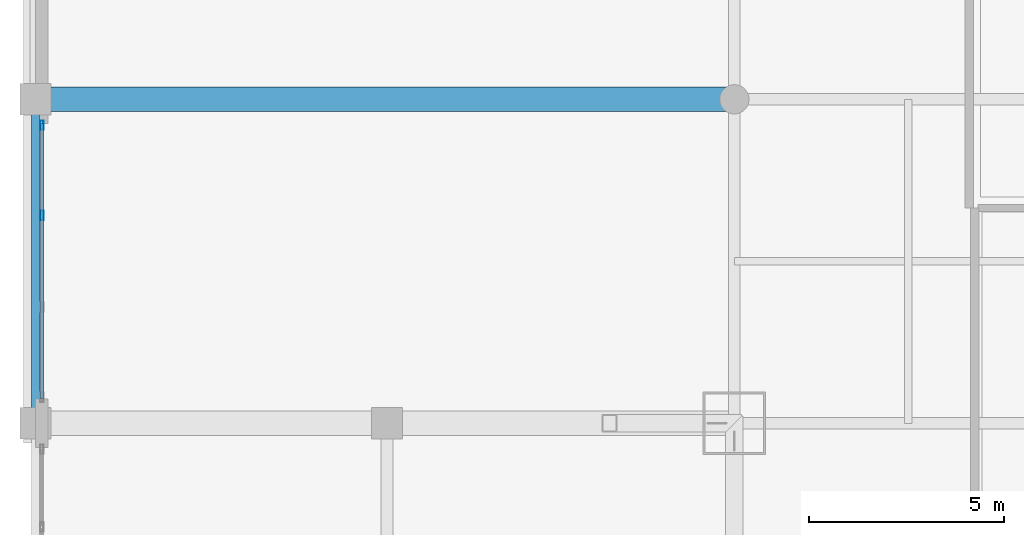
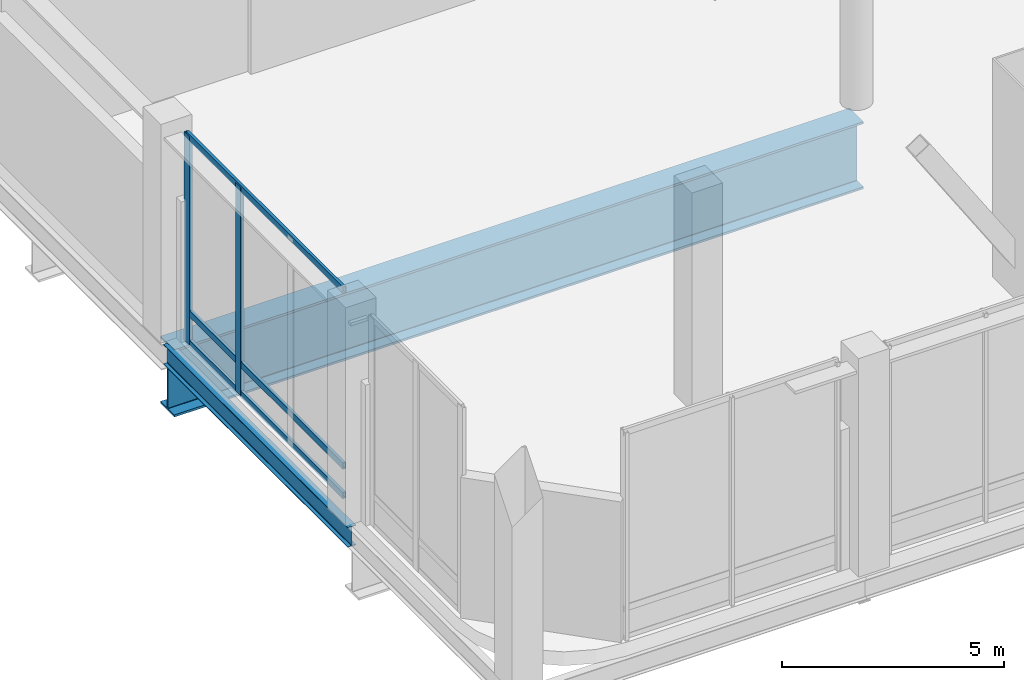
# One storey, part 3 of 38: 5 members, 2 beams, 1 element without a shape of its own.
"""IFC4 building model written with IfcOpenShell, lengths in metres."""

from ifc_helpers import new_model, si_unit, direction, frame, origin, origin_2d, place, context, subcontext, project, spatial, hollow_rectangle, i_section, extrude, material, material_profile, profile_set, type_object, element, aggregate, save


model = new_model("IFC4")

# Units and contexts
model_context = context("Model", 3, precision=1e-05, world=origin(), true_north=direction((0.0, 1.0)))
body_context = subcontext(model_context, "Body", "Model", "MODEL_VIEW")
ifc_project = project(units=[si_unit("LENGTHUNIT", "METRE"), si_unit("AREAUNIT", "SQUARE_METRE"), si_unit("VOLUMEUNIT", "CUBIC_METRE"), si_unit("PLANEANGLEUNIT", "RADIAN"), si_unit("MASSUNIT", "GRAM", prefix="KILO")], contexts=[model_context])

# Site, building, storey
site_placement = place(None, origin())
site = spatial("IfcSite", under=ifc_project, at=site_placement, CompositionType="ELEMENT")
building_placement = place(site_placement, origin())
building = spatial("IfcBuilding", under=site, at=building_placement, Name="Punatoya Terracotta Tower", CompositionType="ELEMENT")
storey_placement = place(building_placement, frame((0.0, 0.0, 22.199951171875)))
storey = spatial("IfcBuildingStorey", under=building, at=storey_placement, Name="L04", CompositionType="ELEMENT", Elevation=22.199951171875)

# Beams
ifc_material_1 = material(Name="Steel S355", Category="steel")
ifc_material_profile_1 = material_profile(ifc_material_1, i_section(OverallWidth=0.2099609375, OverallDepth=0.550048828125, WebThickness=0.010986328125, FlangeThickness=0.01708984375, FilletRadius=0.01806640625, at=origin_2d()))
ifc_profile_set_1 = profile_set([ifc_material_profile_1], Name="Steel S355")
beam_type_1 = type_object("IfcBeamType", Name="BM-SPN-550", PredefinedType="SPANDREL", material=ifc_profile_set_1)
beam_1_placement = place(storey_placement, frame((-37.0, -17.5, -0.655029296875), z_axis=(0.0, 1.0, 0.0), x_axis=(-1.0, 0.0, 0.0)))
element("IfcBeam", 1, at=beam_1_placement, inside=storey, type_object=beam_type_1, Name="BM-L04-X37W--17", PredefinedType="SPANDREL", context=body_context, shape_type="SweptSolid", body=[
    extrude(i_section(OverallWidth=0.2099609375, OverallDepth=0.550048828125, WebThickness=0.010986328125, FlangeThickness=0.01708984375, FilletRadius=0.01806640625, at=origin_2d()), origin(), (0.0, 0.0, 1.0), 8.300048828125),
])
ifc_material_2 = material(Name="Steel S460", Category="steel")
ifc_material_profile_2 = material_profile(ifc_material_2, i_section(OverallWidth=0.6201171875, OverallDepth=1.85009765625, WebThickness=0.0400390625, FlangeThickness=0.06005859375, FilletRadius=0.01806640625, at=origin_2d()))
ifc_profile_set_2 = profile_set([ifc_material_profile_2], Name="Steel S460")
beam_type_2 = type_object("IfcBeamType", Name="BM-TG-AUD", PredefinedType="BEAM", material=ifc_profile_set_2)
beam_2_placement = place(storey_placement, frame((-37.0, -9.199951171875, -1.304931640625), z_axis=(1.0, 0.0, 0.0), x_axis=(0.0, 1.0, 0.0)))
element("IfcBeam", 2, at=beam_2_placement, inside=storey, type_object=beam_type_2, Name="L04 Auditorium Transfer Girder TG-01 (C)", PredefinedType="BEAM", context=body_context, shape_type="SweptSolid", body=[
    extrude(i_section(OverallWidth=0.6201171875, OverallDepth=1.85009765625, WebThickness=0.0400390625, FlangeThickness=0.06005859375, FilletRadius=0.01806640625, at=origin_2d()), origin(), (0.0, 0.0, 1.0), 17.89990234375),
])

# Curtain wall, members
ifc_material_3 = material(Name="Aluminium 6063-T6 + Double Low-E Glass", Category="aluminium")
curtain_wall_type = type_object("IfcCurtainWallType", Name="CW-POD", PredefinedType="NOTDEFINED", material=ifc_material_3)
curtain_wall_placement = place(storey_placement, origin())
curtain_wall = element("IfcCurtainWall", 3, at=curtain_wall_placement, inside=storey, type_object=curtain_wall_type, Name="L04 Curtain Wall CWP-L04-W2", PredefinedType="NOTDEFINED")
ifc_material_4 = material(Name="Aluminium 6063-T6", Category="aluminium")
ifc_material_profile_3 = material_profile(ifc_material_4, hollow_rectangle(XDim=0.0849609375, YDim=0.239990234375, WallThickness=0.0048828125, at=origin_2d()))
ifc_profile_set_3 = profile_set([ifc_material_profile_3], Name="Aluminium 6063-T6")
member_type_1 = type_object("IfcMemberType", Name="CW-MUL-POD", PredefinedType="MULLION", material=ifc_profile_set_3)
member_1_placement = place(storey_placement, frame((-36.840087890625, -12.17333984375, 0.0), z_axis=(0.0, 0.0, 1.0), x_axis=(1.0, 0.0, 0.0)))
member_1 = element("IfcMember", 4, at=member_1_placement, type_object=member_type_1, Name="CWP-L04-W2 Mullion 02", PredefinedType="MULLION", context=body_context, shape_type="SweptSolid", body=[
    extrude(hollow_rectangle(XDim=0.0849609375, YDim=0.239990234375, WallThickness=0.0048828125, at=origin_2d()), origin(), (0.0, 0.0, 1.0), 5.719970703125),
])
member_2_placement = place(storey_placement, frame((-36.840087890625, -9.864990234375, 0.0), z_axis=(0.0, 0.0, 1.0), x_axis=(1.0, 0.0, 0.0)))
member_2 = element("IfcMember", 5, at=member_2_placement, type_object=member_type_1, Name="CWP-L04-W2 Mullion 03", PredefinedType="MULLION", context=body_context, shape_type="SweptSolid", body=[
    extrude(hollow_rectangle(XDim=0.0849609375, YDim=0.239990234375, WallThickness=0.0048828125, at=origin_2d()), origin(), (0.0, 0.0, 1.0), 5.719970703125),
])
ifc_material_profile_4 = material_profile(ifc_material_4, hollow_rectangle(XDim=0.074951171875, YDim=0.175048828125, WallThickness=0.00439453125, at=origin_2d()))
ifc_profile_set_4 = profile_set([ifc_material_profile_4], Name="Aluminium 6063-T6")
member_type_2 = type_object("IfcMemberType", Name="CW-TRN-POD", PredefinedType="USERDEFINED", material=ifc_profile_set_4)
member_3_placement = place(storey_placement, frame((-36.840087890625, -16.8798828125, 0.0400390625), z_axis=(0.0, 1.0, 0.0), x_axis=(-1.0, 0.0, 0.0)))
member_3 = element("IfcMember", 6, at=member_3_placement, type_object=member_type_2, Name="CWP-L04-W2 Transom 1", ObjectType="TRANSOM", PredefinedType="USERDEFINED", context=body_context, shape_type="SweptSolid", body=[
    extrude(hollow_rectangle(XDim=0.074951171875, YDim=0.175048828125, WallThickness=0.00439453125, at=origin_2d()), origin(), (0.0, 0.0, 1.0), 7.059814453125),
])
member_4_placement = place(storey_placement, frame((-36.840087890625, -16.8798828125, 0.85009765625), z_axis=(0.0, 1.0, 0.0), x_axis=(-1.0, 0.0, 0.0)))
member_4 = element("IfcMember", 7, at=member_4_placement, type_object=member_type_2, Name="CWP-L04-W2 Transom 2", ObjectType="TRANSOM", PredefinedType="USERDEFINED", context=body_context, shape_type="SweptSolid", body=[
    extrude(hollow_rectangle(XDim=0.074951171875, YDim=0.175048828125, WallThickness=0.00439453125, at=origin_2d()), origin(), (0.0, 0.0, 1.0), 7.059814453125),
])
member_5_placement = place(storey_placement, frame((-36.840087890625, -16.8798828125, 5.679931640625), z_axis=(0.0, 1.0, 0.0), x_axis=(-1.0, 0.0, 0.0)))
member_5 = element("IfcMember", 8, at=member_5_placement, type_object=member_type_2, Name="CWP-L04-W2 Transom 3", ObjectType="TRANSOM", PredefinedType="USERDEFINED", context=body_context, shape_type="SweptSolid", body=[
    extrude(hollow_rectangle(XDim=0.074951171875, YDim=0.175048828125, WallThickness=0.00439453125, at=origin_2d()), origin(), (0.0, 0.0, 1.0), 7.059814453125),
])
aggregate(curtain_wall, [member_1, member_2, member_3, member_4, member_5])

save(model, "model.ifc")
